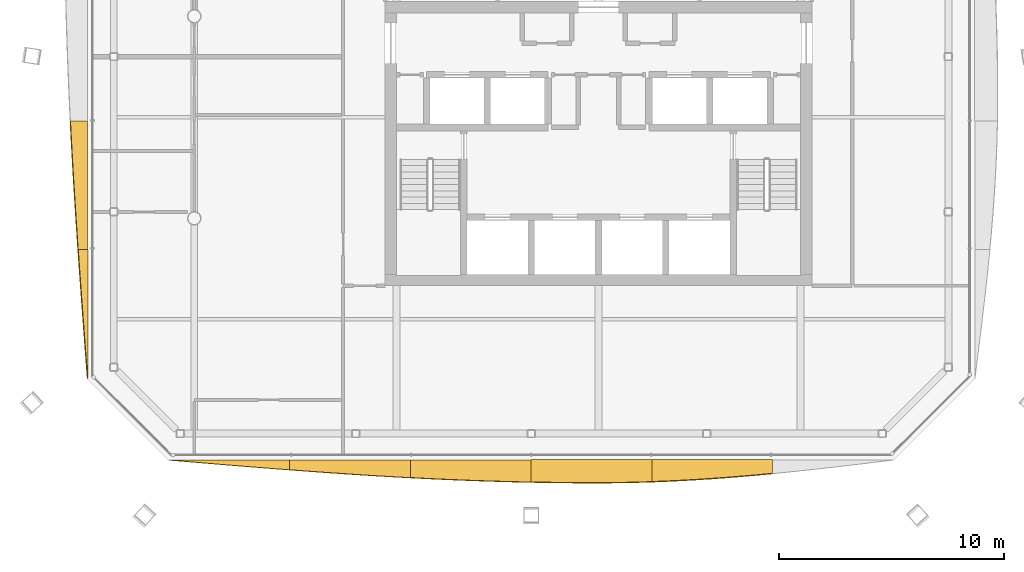
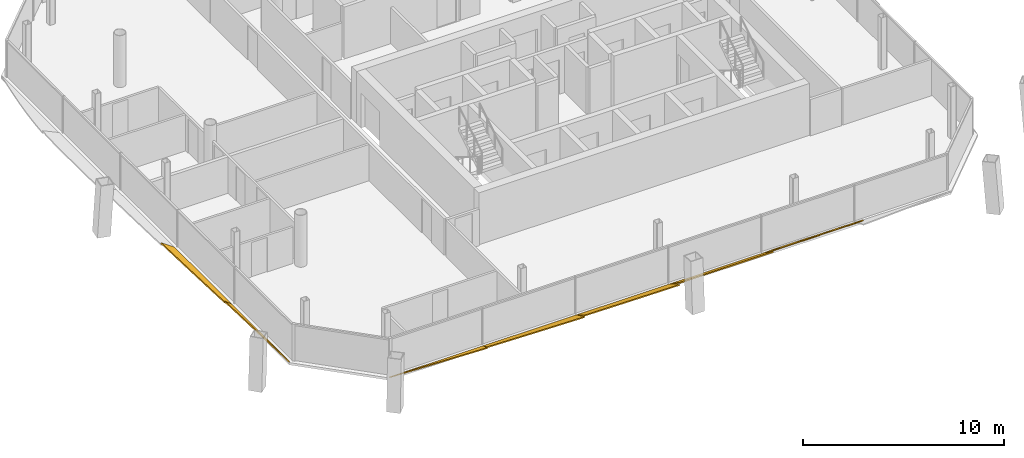
# One storey, part 15 of 19: 7 shading devices.
"""IFC4 building model written with IfcOpenShell, lengths in metres."""

from ifc_helpers import new_model, si_unit, direction, frame, origin, place, context, subcontext, project, spatial, polyline, outline, extrude, material, layer, layer_set, type_object, element, save


model = new_model("IFC4")

# Units and contexts
model_context = context("Model", 3, precision=1e-05, world=origin(), true_north=direction((0.0, 1.0)))
body_context = subcontext(model_context, "Body", "Model", "MODEL_VIEW")
ifc_project = project(units=[si_unit("LENGTHUNIT", "METRE"), si_unit("AREAUNIT", "SQUARE_METRE"), si_unit("VOLUMEUNIT", "CUBIC_METRE"), si_unit("PLANEANGLEUNIT", "RADIAN"), si_unit("MASSUNIT", "GRAM", prefix="KILO")], contexts=[model_context])

# Site, building, storey
site_placement = place(None, origin())
site = spatial("IfcSite", under=ifc_project, at=site_placement, CompositionType="ELEMENT")
building_placement = place(site_placement, origin())
building = spatial("IfcBuilding", under=site, at=building_placement, Name="Tskaro Facet Tower", CompositionType="ELEMENT")
storey_placement = place(building_placement, frame((0.0, 0.0, 206.85009765625)))
storey = spatial("IfcBuildingStorey", under=building, at=storey_placement, Name="L53", CompositionType="ELEMENT", Elevation=206.85009765625)

# Shading devices
ifc_material = material(Name="Bronze anodised aluminium 6063-T6", Category="aluminium")
ifc_layer = layer(ifc_material, 0.06005859375, Name="Bronze anodised aluminium 6063-T6")
ifc_layer_set = layer_set([ifc_layer], Name="Bronze anodised aluminium 6063-T6")
shading_device_type = type_object("IfcShadingDeviceType", Name="Bronze sun blade (FN1)", PredefinedType="USERDEFINED", material=ifc_layer_set)
shading_device_1_placement = place(storey_placement, frame((-19.1298828125, -19.762451171875, 0.056396484375), z_axis=(-2.3821056e-05, 0.341696367781, 0.939810401984), x_axis=(0.999999999716, 8.139568e-06, 2.2387277e-05)))
element("IfcShadingDevice", 1, at=shading_device_1_placement, inside=storey, type_object=shading_device_type, Name="Fin blade south 1", ObjectType="FIN", PredefinedType="USERDEFINED", context=body_context, shape_type="SweptSolid", body=[
    extrude(outline(polyline([(0.0, 0.0), (5.376464842224582, 0.0), (5.376464845259032, -0.46478641238169505), (4.70434570326922, -0.4099498364047556), (4.032470702896247, -0.3535697411042659), (3.3603515623942983, -0.29641788614200126), (2.688232418909859, -0.2381814036541605), (2.0161132813870175, -0.1792565834693587), (1.3439941369072874, -0.11970602755695478), (0.6718749998804006, -0.06000944771037791), (0.0, 0.0)])), origin(), (0.0, 0.0, -1.0), 0.06005859375),
])
shading_device_2_placement = place(storey_placement, frame((-13.75341796875, -19.757568359375, 0.05419921875), z_axis=(2.0560066e-05, 0.422694689535, 0.906272144014), x_axis=(0.999999999789, -8.690631e-06, -1.8633015e-05)))
element("IfcShadingDevice", 2, at=shading_device_2_placement, inside=storey, type_object=shading_device_type, Name="Fin blade south 2", ObjectType="FIN", PredefinedType="USERDEFINED", context=body_context, shape_type="SweptSolid", body=[
    extrude(outline(polyline([(0.0, 0.0), (5.376708983238589, 9.108499315127664e-21), (5.37670898523193, -0.8706231609709556), (4.704589842802165, -0.8299894397676403), (4.032470704022157, -0.7868484132064211), (3.3605957028460414, -0.7410820203853006), (2.6884765643891284, -0.6933540348473983), (2.016357420483819, -0.6433251378430105), (1.3442382799226622, -0.591334648121841), (0.6721191381565804, -0.5374857626295988), (-2.692689330417011e-09, -0.4819997392139905), (0.0, 0.0)])), origin(), (0.0, 0.0, -1.0), 0.06005859375),
])
shading_device_3_placement = place(storey_placement, frame((-8.376708984375, -19.7529296875, 0.0517578125), z_axis=(-1.5845199e-05, 0.500062635079, 0.86598923824), x_axis=(0.999999999874, 7.923592e-06, 1.3721772e-05)))
element("IfcShadingDevice", 3, at=shading_device_3_placement, inside=storey, type_object=shading_device_type, Name="Fin blade south 3", ObjectType="FIN", PredefinedType="USERDEFINED", context=body_context, shape_type="SweptSolid", body=[
    extrude(outline(polyline([(0.0, 0.0), (5.376708983700034, 4.554249657563832e-21), (5.376708985360732, -1.141277069774262), (4.704589842221309, -1.1239851756325752), (4.032470702195283, -1.1034236900184686), (3.360351561932611, -1.07947052732766), (2.688476562058263, -1.052125687560149), (2.0163574213223012, -1.0213891707159362), (1.3442382817652647, -0.9875944855531974), (0.6721191414526835, -0.9509530552258263), (-1.0310134236107311e-09, -0.9111313709756468), (0.0, 0.0)])), origin(), (0.0, 0.0, -1.0), 0.06005859375),
])
shading_device_4_placement = place(storey_placement, frame((-3.0, -19.74853515625, 0.049072265625), z_axis=(-5.714472e-06, 0.573573478492, 0.819154115376), x_axis=(0.999999999984, 3.27767e-06, 4.681034e-06)))
element("IfcShadingDevice", 4, at=shading_device_4_placement, inside=storey, type_object=shading_device_type, Name="Fin blade south 4", ObjectType="FIN", PredefinedType="USERDEFINED", context=body_context, shape_type="SweptSolid", body=[
    extrude(outline(polyline([(0.0, 0.0), (5.376708984287212, 0.0), (5.376708984165609, -1.1888663309921226), (4.704589843418126, -1.2135872912778702), (4.0324707032478315, -1.2309279776331334), (3.360351562969493, -1.2402083472874572), (2.903320312747003, -1.2419684104237714), (2.6882324209826844, -1.2418283778362467), (2.016357421796177, -1.2386482729488453), (1.3442382813017475, -1.2318080092012906), (0.6721191409246048, -1.2211075977958799), (-4.780819644124855e-10, -1.2064070061450882), (0.0, 0.0)])), origin(), (0.0, 0.0, -1.0), 0.06005859375),
])
shading_device_5_placement = place(storey_placement, frame((2.376708984375, -19.744384765625, 0.0458984375), z_axis=(7.981739e-06, 0.642724603387, 0.766097307225), x_axis=(0.999999999968, -5.13006e-06, -6.114789e-06)))
element("IfcShadingDevice", 5, at=shading_device_5_placement, inside=storey, type_object=shading_device_type, Name="Fin blade south 5", ObjectType="FIN", PredefinedType="USERDEFINED", context=body_context, shape_type="SweptSolid", body=[
    extrude(outline(polyline([(0.0, 0.0), (5.37670898420373, 0.0), (5.376708984166952, -0.7916073693136136), (4.70458984399705, -0.8741001528871009), (4.0324707021830966, -0.9510294852940371), (3.3603515632036953, -1.0219246209752857), (2.688232421808611, -1.0863813686910182), (2.0161132812239906, -1.1437419474066948), (1.3442382808223727, -1.193819321646913), (0.6721191408466399, -1.2364565762252946), (-5.831275665565521e-10, -1.2712796401910333), (0.0, 0.0)])), origin(), (0.0, 0.0, -1.0), 0.06005859375),
])
shading_device_6_placement = place(storey_placement, frame((-22.74853515625, -4.660888671875, 0.049072265625), z_axis=(0.57354478533, -5.38955e-07, 0.819174205661), x_axis=(-3.09115e-07, -1.0, -4.41498e-07)))
element("IfcShadingDevice", 6, at=shading_device_6_placement, inside=storey, type_object=shading_device_type, Name="Fin blade west 4", ObjectType="FIN", PredefinedType="USERDEFINED", context=body_context, shape_type="SweptSolid", body=[
    extrude(outline(polyline([(0.0, 0.0), (5.734619140624167, 0.0), (5.734619140641141, -0.5116999372771123), (5.017578125051799, -0.5709622400328402), (4.300781249958013, -0.6286045038261762), (3.5839843750258282, -0.6845466711949624), (2.867187499996522, -0.7385287803164464), (2.1503906249778812, -0.7904108056082726), (1.4335937499699054, -0.8401927470704409), (0.716796875004916, -0.8875345854180412), (7.444597090442597e-12, -0.9322363269485197), (0.0, 0.0)])), origin(), (0.0, 0.0, -1.0), 0.06005859375),
])
shading_device_7_placement = place(storey_placement, frame((-22.744384765625, -10.3955078125, 0.0458984375), z_axis=(0.642608099449, 1.216579e-06, 0.766195034258), x_axis=(7.81784e-07, -0.999999999999, 9.32137e-07)))
element("IfcShadingDevice", 7, at=shading_device_7_placement, inside=storey, type_object=shading_device_type, Name="Fin blade west 5", ObjectType="FIN", PredefinedType="USERDEFINED", context=body_context, shape_type="SweptSolid", body=[
    extrude(outline(polyline([(0.0, 0.0), (5.734374999995757, -6.071505696139223e-22), (5.017578124916001, -0.07036416039287514), (4.300781249836245, -0.1407283207857503), (3.5839843749106475, -0.21056147576652431), (2.8671875001392078, -0.27986362533519726), (2.1503906250667804, -0.34832099600570987), (1.4335937501118035, -0.41590341518655616), (0.7167968750099971, -0.482110050057141), (-1.1066066163557115e-11, -0.5470977873604942), (0.0, 0.0)])), origin(), (0.0, 0.0, -1.0), 0.06005859375),
])

save(model, "model.ifc")
